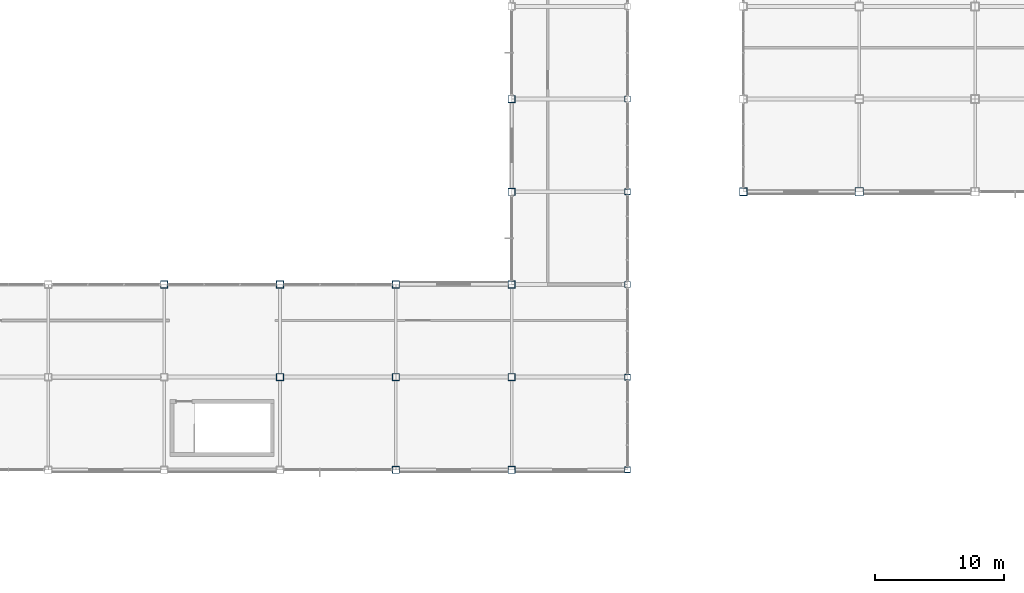
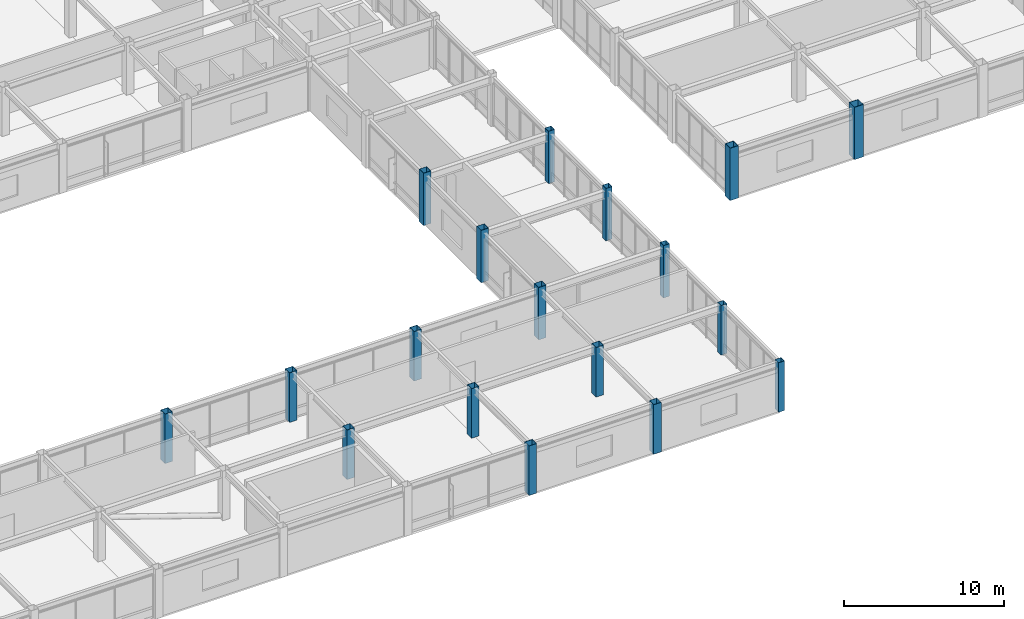
# One storey, part 5 of 113: 18 columns.
"""IFC4 building model written with IfcOpenShell, lengths in metres."""

from ifc_helpers import new_model, si_unit, direction, frame, origin, origin_2d, place, context, subcontext, project, spatial, hollow_rectangle, extrude, material, material_profile, profile_set, type_object, element, save


model = new_model("IFC4")

# Units and contexts
model_context = context("Model", 3, precision=1e-05, world=origin(), true_north=direction((0.0, 1.0)))
body_context = subcontext(model_context, "Body", "Model", "MODEL_VIEW")
ifc_project = project(units=[si_unit("LENGTHUNIT", "METRE"), si_unit("AREAUNIT", "SQUARE_METRE"), si_unit("VOLUMEUNIT", "CUBIC_METRE"), si_unit("PLANEANGLEUNIT", "RADIAN"), si_unit("MASSUNIT", "GRAM", prefix="KILO")], contexts=[model_context])

# Site, building, storey
site_placement = place(None, origin())
site = spatial("IfcSite", under=ifc_project, at=site_placement, CompositionType="ELEMENT")
building_placement = place(site_placement, origin())
building = spatial("IfcBuilding", under=site, at=building_placement, Name="Kazanami Central Library", CompositionType="ELEMENT")
storey_placement = place(building_placement, frame((0.0, 0.0, 8.800048828125)))
storey = spatial("IfcBuildingStorey", under=building, at=storey_placement, Name="L03", CompositionType="ELEMENT", Elevation=8.800048828125)

# Columns
ifc_material = material(Name="Steel BCP325 (325 MPa)", Category="steel")
ifc_material_profile_1 = material_profile(ifc_material, hollow_rectangle(XDim=0.449951171875, YDim=0.449951171875, WallThickness=0.01904296875, at=origin_2d()), Name="BCP-450x450x19")
ifc_profile_set_1 = profile_set([ifc_material_profile_1], Name="Steel BCP325 (325 MPa)")
column_type_1 = type_object("IfcColumnType", Name="COL-C-P2E", PredefinedType="COLUMN", material=ifc_profile_set_1)
for number, where, z_axis, x_axis, name in (
    (1, (108.0, 21.60009765625, 0.0), (0.0, 0.0, 1.0), (1.0, 0.0, 0.0), "Column C-P2E L03 13/D"),
    (2, (108.0, 28.800048828125, 0.0), (0.0, 0.0, 1.0), (1.0, 0.0, 0.0), "Column C-P2E L03 13/E"),
):
    element("IfcColumn", number, at=place(storey_placement, frame(where, z_axis=z_axis, x_axis=x_axis)), inside=storey, type_object=column_type_1, Name=name, PredefinedType="COLUMN", context=body_context, shape_type="SweptSolid", body=[
        extrude(hollow_rectangle(XDim=0.449951171875, YDim=0.449951171875, WallThickness=0.01904296875, at=origin_2d()), origin(), (0.0, 0.0, 1.0), 3.780029296875),
    ])
for number, where, z_axis, x_axis, name in (
    (3, (108.0, 36.0, 0.0), (0.0, 0.0, 1.0), (1.0, 0.0, 0.0), "Column C-P2E L03 13/F"),
    (4, (108.0, 43.199951171875, 0.0), (0.0, 0.0, 1.0), (1.0, 0.0, 0.0), "Column C-P2E L03 13/G"),
    (5, (108.0, 50.39990234375, 0.0), (0.0, 0.0, 1.0), (1.0, 0.0, 0.0), "Column C-P2E L03 13/H"),
):
    element("IfcColumn", number, at=place(storey_placement, frame(where, z_axis=z_axis, x_axis=x_axis)), inside=storey, type_object=column_type_1, Name=name, PredefinedType="COLUMN", context=body_context, shape_type="SweptSolid", body=[
        extrude(hollow_rectangle(XDim=0.449951171875, YDim=0.449951171875, WallThickness=0.01904296875, at=origin_2d()), origin(), (0.0, 0.0, 1.0), 4.0),
    ])
ifc_material_profile_2 = material_profile(ifc_material, hollow_rectangle(XDim=0.550048828125, YDim=0.550048828125, WallThickness=0.02197265625, at=origin_2d()), Name="BCP-550x550x22")
ifc_profile_set_2 = profile_set([ifc_material_profile_2], Name="Steel BCP325 (325 MPa)")
column_type_2 = type_object("IfcColumnType", Name="COL-C-P2I", PredefinedType="COLUMN", material=ifc_profile_set_2)
for number, where, z_axis, x_axis, name in (
    (6, (72.0, 36.0, 0.0), (0.0, 0.0, 1.0), (1.0, 0.0, 0.0), "Column C-P2I L03 9/F"),
    (7, (81.0, 28.800048828125, 0.0), (0.0, 0.0, 1.0), (1.0, 0.0, 0.0), "Column C-P2I L03 10/E"),
    (8, (81.0, 36.0, 0.0), (0.0, 0.0, 1.0), (1.0, 0.0, 0.0), "Column C-P2I L03 10/F"),
    (9, (90.0, 21.60009765625, 0.0), (0.0, 0.0, 1.0), (1.0, 0.0, 0.0), "Column C-P2I L03 11/D"),
    (10, (90.0, 28.800048828125, 0.0), (0.0, 0.0, 1.0), (1.0, 0.0, 0.0), "Column C-P2I L03 11/E"),
    (11, (90.0, 36.0, 0.0), (0.0, 0.0, 1.0), (1.0, 0.0, 0.0), "Column C-P2I L03 11/F"),
    (12, (99.0, 21.60009765625, 0.0), (0.0, 0.0, 1.0), (1.0, 0.0, 0.0), "Column C-P2I L03 12/D"),
    (13, (99.0, 28.800048828125, 0.0), (0.0, 0.0, 1.0), (1.0, 0.0, 0.0), "Column C-P2I L03 12/E"),
):
    element("IfcColumn", number, at=place(storey_placement, frame(where, z_axis=z_axis, x_axis=x_axis)), inside=storey, type_object=column_type_2, Name=name, PredefinedType="COLUMN", context=body_context, shape_type="SweptSolid", body=[
        extrude(hollow_rectangle(XDim=0.550048828125, YDim=0.550048828125, WallThickness=0.02197265625, at=origin_2d()), origin(), (0.0, 0.0, 1.0), 3.780029296875),
    ])
for number, where, z_axis, x_axis, name in (
    (14, (99.0, 36.0, 0.0), (0.0, 0.0, 1.0), (1.0, 0.0, 0.0), "Column C-P2I L03 12/F"),
    (15, (99.0, 43.199951171875, 0.0), (0.0, 0.0, 1.0), (1.0, 0.0, 0.0), "Column C-P2I L03 12/G"),
    (16, (99.0, 50.39990234375, 0.0), (0.0, 0.0, 1.0), (1.0, 0.0, 0.0), "Column C-P2I L03 12/H"),
):
    element("IfcColumn", number, at=place(storey_placement, frame(where, z_axis=z_axis, x_axis=x_axis)), inside=storey, type_object=column_type_2, Name=name, PredefinedType="COLUMN", context=body_context, shape_type="SweptSolid", body=[
        extrude(hollow_rectangle(XDim=0.550048828125, YDim=0.550048828125, WallThickness=0.02197265625, at=origin_2d()), origin(), (0.0, 0.0, 1.0), 4.0),
    ])
ifc_material_profile_3 = material_profile(ifc_material, hollow_rectangle(XDim=0.64990234375, YDim=0.64990234375, WallThickness=0.02490234375, at=origin_2d()), Name="BCP-650x650x25")
ifc_profile_set_3 = profile_set([ifc_material_profile_3], Name="Steel BCP325 (325 MPa)")
column_type_3 = type_object("IfcColumnType", Name="COL-C-T2I", PredefinedType="COLUMN", material=ifc_profile_set_3)
column_1_placement = place(storey_placement, frame((126.0, 43.199951171875, 0.0), z_axis=(0.0, 0.0, 1.0), x_axis=(1.0, 0.0, 0.0)))
element("IfcColumn", 17, at=column_1_placement, inside=storey, type_object=column_type_3, Name="Column C-T2I L03 15/G", PredefinedType="COLUMN", context=body_context, shape_type="SweptSolid", body=[
    extrude(hollow_rectangle(XDim=0.64990234375, YDim=0.64990234375, WallThickness=0.02490234375, at=origin_2d()), origin(), (0.0, 0.0, 1.0), 4.0),
])
ifc_material_profile_4 = material_profile(ifc_material, hollow_rectangle(XDim=0.60009765625, YDim=0.60009765625, WallThickness=0.02490234375, at=origin_2d()), Name="BCP-600x600x25")
ifc_profile_set_4 = profile_set([ifc_material_profile_4], Name="Steel BCP325 (325 MPa)")
column_type_4 = type_object("IfcColumnType", Name="COL-C-T2P", PredefinedType="COLUMN", material=ifc_profile_set_4)
column_2_placement = place(storey_placement, frame((117.0, 43.199951171875, 0.0), z_axis=(0.0, 0.0, 1.0), x_axis=(1.0, 0.0, 0.0)))
element("IfcColumn", 18, at=column_2_placement, inside=storey, type_object=column_type_4, Name="Column C-T2P L03 14/G", PredefinedType="COLUMN", context=body_context, shape_type="SweptSolid", body=[
    extrude(hollow_rectangle(XDim=0.60009765625, YDim=0.60009765625, WallThickness=0.02490234375, at=origin_2d()), origin(), (0.0, 0.0, 1.0), 4.0),
])

save(model, "model.ifc")
